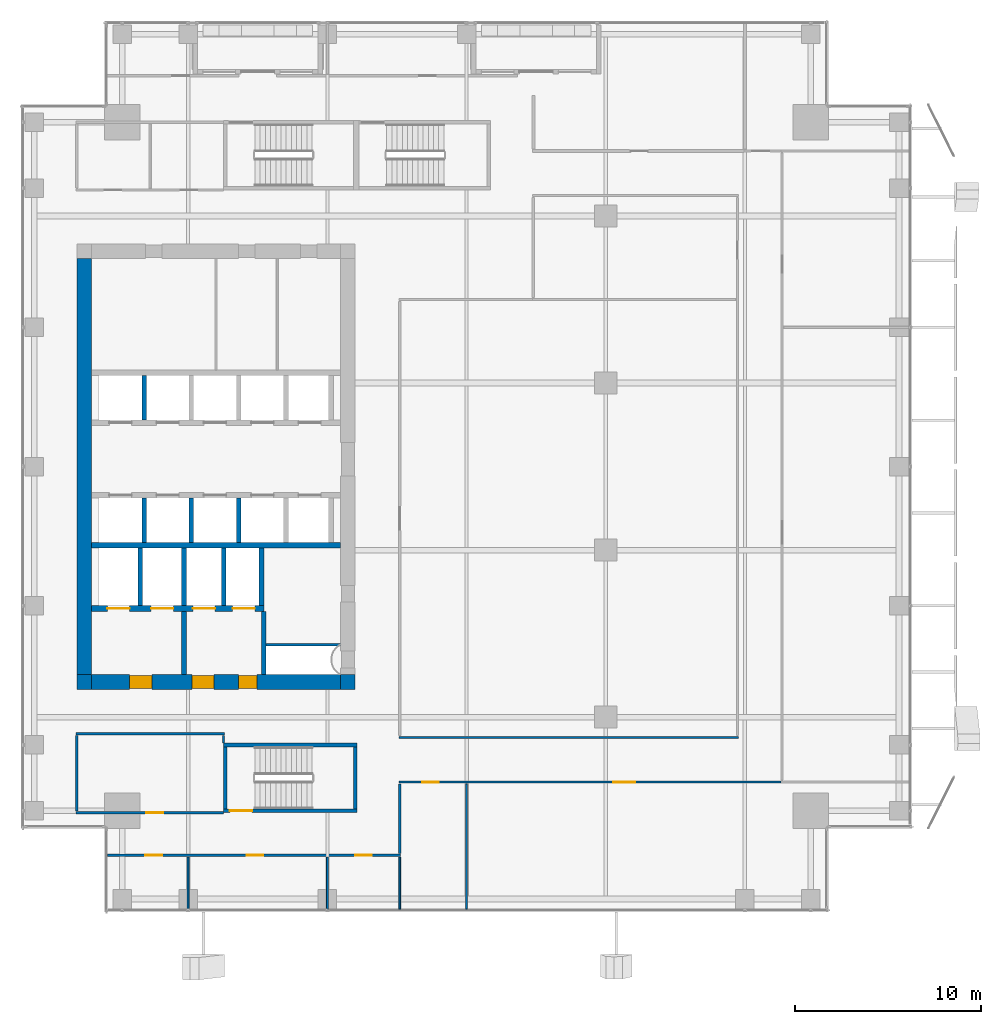
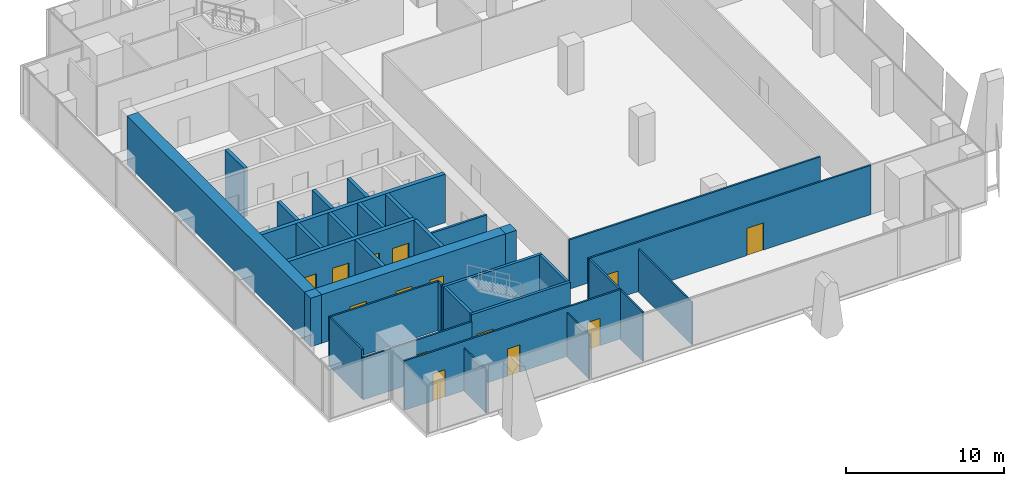
# One storey, part 32 of 38: 33 walls, 14 doors, 14 openings.
"""IFC4 building model written with IfcOpenShell, lengths in metres."""

from ifc_helpers import new_model, si_unit, direction, frame, frame_2d, origin, place, context, subcontext, project, spatial, rectangle, extrude, source, transform, mapped, material, layer, layer_set, type_object, element, fill, save


model = new_model("IFC4")

# Units and contexts
model_context = context("Model", 3, precision=1e-05, world=origin(), true_north=direction((0.0, 1.0)))
body_context = subcontext(model_context, "Body", "Model", "MODEL_VIEW")
ifc_project = project(units=[si_unit("LENGTHUNIT", "METRE"), si_unit("AREAUNIT", "SQUARE_METRE"), si_unit("VOLUMEUNIT", "CUBIC_METRE"), si_unit("PLANEANGLEUNIT", "RADIAN"), si_unit("MASSUNIT", "GRAM", prefix="KILO")], contexts=[model_context])

# Site, building, storey
site_placement = place(None, origin())
site = spatial("IfcSite", under=ifc_project, at=site_placement, CompositionType="ELEMENT")
building_placement = place(site_placement, origin())
building = spatial("IfcBuilding", under=site, at=building_placement, Name="Khomas Fold Tower", CompositionType="ELEMENT")
storey_placement = place(building_placement, frame((0.0, 0.0, 208.699951171875)))
storey = spatial("IfcBuildingStorey", under=building, at=storey_placement, Name="L46", CompositionType="ELEMENT", Elevation=208.699951171875)

# Wall, openings, doors
ifc_material_1 = material(Name="Concrete C60/75", Category="concrete")
ifc_layer_1 = layer(ifc_material_1, 0.800048828125)
ifc_layer_set_1 = layer_set([ifc_layer_1], Name="Concrete C60/75")
wall_type_1 = type_object("IfcWallType", Name="Core wall 800", PredefinedType="SHEAR", material=ifc_layer_set_1)
shared_shape_1 = source(origin(), body_context, "Body", "SweptSolid", [
    extrude(rectangle(XDim=13.39990234375, YDim=0.800048828125, at=frame_2d((6.699951171875, 0.0))), origin(), (0.0, 0.0, 1.0), 3.75),
])
wall_1_placement = place(storey_placement, frame((6.800048828125, 15.39990234375, 0.0), z_axis=(0.0, 0.0, 1.0), x_axis=(1.0, 0.0, 0.0)))
wall_1 = element("IfcWall", 1, at=wall_1_placement, inside=storey, type_object=wall_type_1, Name="Core wall CW-U-S-L35", PredefinedType="SHEAR", context=body_context, shape_type="MappedRepresentation", body=[
    mapped(shared_shape_1, transform((0.0, 0.0, 0.0))),
])
shared_shape_2 = source(origin(), body_context, "Body", "SweptSolid", [
    extrude(rectangle(XDim=1.199951171875, YDim=2.10009765625, at=frame_2d((0.60009765625, 1.050048828125))), frame((0.0, 0.409912109375, 0.0), z_axis=(0.0, -1.0, 0.0), x_axis=(1.0, 0.0, 0.0)), (0.0, 0.0, 1.0), 0.820068359375),
])
opening_1_placement = place(wall_1_placement, frame((5.39990234375, 0.0, 0.0)))
opening_1 = element("IfcOpeningElement", 2, at=opening_1_placement, cuts=wall_1, Name="Opening 0009", PredefinedType="OPENING", context=body_context, shape_type="MappedRepresentation", body=[
    mapped(shared_shape_2, transform((0.0, 0.0, 0.0))),
])
opening_2_placement = place(wall_1_placement, frame((2.050048828125, 0.0, 0.0)))
opening_2 = element("IfcOpeningElement", 3, at=opening_2_placement, cuts=wall_1, Name="Opening 0009", PredefinedType="OPENING", context=body_context, shape_type="MappedRepresentation", body=[
    mapped(shared_shape_2, transform((0.0, 0.0, 0.0))),
])
shared_shape_3 = source(origin(), body_context, "Body", "SweptSolid", [
    extrude(rectangle(XDim=1.0, YDim=2.10009765625, at=frame_2d((0.5, 1.050048828125))), frame((0.0, 0.409912109375, 0.0), z_axis=(0.0, -1.0, 0.0), x_axis=(1.0, 0.0, 0.0)), (0.0, 0.0, 1.0), 0.820068359375),
])
opening_3_placement = place(wall_1_placement, frame((7.89990234375, 0.0, 0.0)))
opening_3 = element("IfcOpeningElement", 4, at=opening_3_placement, cuts=wall_1, Name="Opening 0010", PredefinedType="OPENING", context=body_context, shape_type="MappedRepresentation", body=[
    mapped(shared_shape_3, transform((0.0, 0.0, 0.0))),
])
ifc_material_2 = material(Name="Steel door leaf", Category="steel")
door_type_1 = type_object("IfcDoorType", Name="Lobby door 1200x2100 right-hand", OperationType="SINGLE_SWING_RIGHT", PredefinedType="DOOR", material=ifc_material_2)
shared_shape_4 = source(origin(), body_context, "Body", "SweptSolid", [
    extrude(rectangle(XDim=1.199951171875, YDim=2.10009765625, at=frame_2d((0.60009765625, 1.050048828125))), frame((0.0, 0.35009765625, 0.0), z_axis=(0.0, -1.0, 0.0), x_axis=(1.0, 0.0, 0.0)), (0.0, 0.0, 1.0), 0.699951171875),
])
door_1_placement = place(opening_1_placement, origin())
door_1 = element("IfcDoor", 5, at=door_1_placement, inside=storey, type_object=door_type_1, Name="Lobby door", OperationType="SINGLE_SWING_RIGHT", OverallHeight=2.10009765625, OverallWidth=1.199951171875, PredefinedType="DOOR", context=body_context, shape_type="MappedRepresentation", body=[
    mapped(shared_shape_4, transform((0.0, 0.0, 0.0))),
])
fill(opening_1, door_1)
door_2_placement = place(opening_2_placement, origin())
door_2 = element("IfcDoor", 6, at=door_2_placement, inside=storey, type_object=door_type_1, Name="Lobby door", OperationType="SINGLE_SWING_RIGHT", OverallHeight=2.10009765625, OverallWidth=1.199951171875, PredefinedType="DOOR", context=body_context, shape_type="MappedRepresentation", body=[
    mapped(shared_shape_4, transform((0.0, 0.0, 0.0))),
])
fill(opening_2, door_2)
ifc_material_3 = material(Name="Steel door leaf", Category="steel")
door_type_2 = type_object("IfcDoorType", Name="Stair door 1000x2100 right-hand", OperationType="SINGLE_SWING_RIGHT", PredefinedType="DOOR", material=ifc_material_3)
shared_shape_5 = source(origin(), body_context, "Body", "SweptSolid", [
    extrude(rectangle(XDim=1.0, YDim=2.10009765625, at=frame_2d((0.5, 1.050048828125))), frame((0.0, 0.35009765625, 0.0), z_axis=(0.0, -1.0, 0.0), x_axis=(1.0, 0.0, 0.0)), (0.0, 0.0, 1.0), 0.699951171875),
])
door_3_placement = place(opening_3_placement, origin())
door_3 = element("IfcDoor", 7, at=door_3_placement, inside=storey, type_object=door_type_2, Name="Stair door", OperationType="SINGLE_SWING_RIGHT", OverallHeight=2.10009765625, OverallWidth=1.0, PredefinedType="DOOR", context=body_context, shape_type="MappedRepresentation", body=[
    mapped(shared_shape_5, transform((0.0, 0.0, 0.0))),
])
fill(opening_3, door_3)

# Walls
ifc_material_4 = material(Name="Concrete C60/75", Category="concrete")
ifc_layer_2 = layer(ifc_material_4, 0.800048828125)
ifc_layer_set_2 = layer_set([ifc_layer_2], Name="Concrete C60/75")
wall_type_2 = type_object("IfcWallType", Name="Core corner wall 800", PredefinedType="SHEAR", material=ifc_layer_set_2)
shared_shape_6 = source(origin(), body_context, "Body", "SweptSolid", [
    extrude(rectangle(XDim=0.800048828125, YDim=0.800048828125, at=frame_2d((0.39990234375, 0.0))), origin(), (0.0, 0.0, 1.0), 3.75),
])
for number, where, z_axis, x_axis, name in (
    (8, (20.199951171875, 15.39990234375, 0.0), (0.0, 0.0, 1.0), (1.0, 0.0, 0.0), "Core wall CW-U-SE-L35"),
    (9, (6.0, 15.39990234375, 0.0), (0.0, 0.0, 1.0), (1.0, 0.0, 0.0), "Core wall CW-U-SW-L35"),
):
    element("IfcWall", number, at=place(storey_placement, frame(where, z_axis=z_axis, x_axis=x_axis)), inside=storey, type_object=wall_type_2, Name=name, PredefinedType="SHEAR", context=body_context, shape_type="MappedRepresentation", body=[
        mapped(shared_shape_6, transform((0.0, 0.0, 0.0))),
    ])
shared_shape_7 = source(origin(), body_context, "Body", "SweptSolid", [
    extrude(rectangle(XDim=22.39990234375, YDim=0.800048828125, at=frame_2d((11.199951171875, 0.0))), origin(), (0.0, 0.0, 1.0), 3.75),
])
wall_2_placement = place(storey_placement, frame((6.39990234375, 15.800048828125, 0.0), z_axis=(0.0, 0.0, 1.0), x_axis=(0.0, 1.0, 0.0)))
element("IfcWall", 10, at=wall_2_placement, inside=storey, type_object=wall_type_1, Name="Core wall CW-U-W-L35", PredefinedType="SHEAR", context=body_context, shape_type="MappedRepresentation", body=[
    mapped(shared_shape_7, transform((0.0, 0.0, 0.0))),
])
ifc_material_5 = material(Name="Concrete C50/60", Category="concrete")
ifc_layer_3 = layer(ifc_material_5, 0.199951171875)
ifc_layer_set_3 = layer_set([ifc_layer_3], Name="Concrete C50/60")
wall_type_3 = type_object("IfcWallType", Name="Stair wall 200", PredefinedType="SHEAR", material=ifc_layer_set_3)
shared_shape_8 = source(origin(), body_context, "Body", "SweptSolid", [
    extrude(rectangle(XDim=7.2001953125, YDim=0.199951171875, at=frame_2d((3.60009765625, 0.0))), origin(), (0.0, 0.0, 1.0), 3.75),
])
wall_3_placement = place(storey_placement, frame((13.89990234375, 12.0, 0.0), z_axis=(0.0, 0.0, 1.0), x_axis=(1.0, 0.0, 0.0)))
element("IfcWall", 11, at=wall_3_placement, inside=storey, type_object=wall_type_3, Name="Stair wall SW-ST2-NH", PredefinedType="SHEAR", context=body_context, shape_type="MappedRepresentation", body=[
    mapped(shared_shape_8, transform((0.0, 0.0, 0.0))),
])

# Wall, opening, door
wall_4_placement = place(storey_placement, frame((13.89990234375, 8.449951171875, 0.0), z_axis=(0.0, 0.0, 1.0), x_axis=(1.0, 0.0, 0.0)))
wall_4 = element("IfcWall", 12, at=wall_4_placement, inside=storey, type_object=wall_type_3, Name="Stair wall SW-ST2-S", PredefinedType="SHEAR", context=body_context, shape_type="MappedRepresentation", body=[
    mapped(shared_shape_8, transform((0.0, 0.0, 0.0))),
])
shared_shape_9 = source(origin(), body_context, "Body", "SweptSolid", [
    extrude(rectangle(XDim=1.199951171875, YDim=2.10009765625, at=frame_2d((0.60009765625, 1.050048828125))), frame((0.0, 0.10986328125, 0.0), z_axis=(0.0, -1.0, 0.0), x_axis=(1.0, 0.0, 0.0)), (0.0, 0.0, 1.0), 0.219970703125),
])
opening_4_placement = place(wall_4_placement, frame((0.35009765625, 0.0, 0.0)))
opening_4 = element("IfcOpeningElement", 13, at=opening_4_placement, cuts=wall_4, Name="Opening SD-ST2", PredefinedType="OPENING", context=body_context, shape_type="MappedRepresentation", body=[
    mapped(shared_shape_9, transform((0.0, 0.0, 0.0))),
])
ifc_material_6 = material(Name="Steel door leaf", Category="steel")
door_type_3 = type_object("IfcDoorType", Name="Stair door 1200x2100 right-hand", OperationType="SINGLE_SWING_RIGHT", PredefinedType="DOOR", material=ifc_material_6)
shared_shape_10 = source(origin(), body_context, "Body", "SweptSolid", [
    extrude(rectangle(XDim=1.199951171875, YDim=2.10009765625, at=frame_2d((0.60009765625, 1.050048828125))), frame((0.0, 0.02490234375, 0.0), z_axis=(0.0, -1.0, 0.0), x_axis=(1.0, 0.0, 0.0)), (0.0, 0.0, 1.0), 0.050048828125),
])
door_4_placement = place(opening_4_placement, origin())
door_4 = element("IfcDoor", 14, at=door_4_placement, inside=storey, type_object=door_type_3, Name="Stair door", OperationType="SINGLE_SWING_RIGHT", OverallHeight=2.10009765625, OverallWidth=1.199951171875, PredefinedType="DOOR", context=body_context, shape_type="MappedRepresentation", body=[
    mapped(shared_shape_10, transform((0.0, 0.0, 0.0))),
])
fill(opening_4, door_4)

# Walls
shared_shape_11 = source(origin(), body_context, "Body", "SweptSolid", [
    extrude(rectangle(XDim=3.349853515625, YDim=0.199951171875, at=frame_2d((1.6748046875, 0.0))), origin(), (0.0, 0.0, 1.0), 3.75),
])
for number, where, z_axis, x_axis, name in (
    (15, (21.0, 8.550048828125, 0.0), (0.0, 0.0, 1.0), (0.0, 1.0, 0.0), "Stair wall SW-ST2-E"),
    (16, (14.0, 8.550048828125, 0.0), (0.0, 0.0, 1.0), (0.0, 1.0, 0.0), "Stair wall SW-ST2-W"),
):
    element("IfcWall", number, at=place(storey_placement, frame(where, z_axis=z_axis, x_axis=x_axis)), inside=storey, type_object=wall_type_3, Name=name, PredefinedType="SHEAR", context=body_context, shape_type="MappedRepresentation", body=[
        mapped(shared_shape_11, transform((0.0, 0.0, 0.0))),
    ])
ifc_material_7 = material(Name="Concrete C50/60", Category="concrete")
ifc_layer_4 = layer(ifc_material_7, 0.300048828125)
ifc_layer_set_4 = layer_set([ifc_layer_4], Name="Concrete C50/60")
wall_type_4 = type_object("IfcWallType", Name="Shaft wall 300", PredefinedType="STANDARD", material=ifc_layer_set_4)
shared_shape_12 = source(origin(), body_context, "Body", "SweptSolid", [
    extrude(rectangle(XDim=13.39990234375, YDim=0.300048828125, at=frame_2d((6.699951171875, 0.0))), origin(), (0.0, 0.0, 1.0), 3.75),
])
wall_5_placement = place(storey_placement, frame((6.800048828125, 22.75, 0.0), z_axis=(0.0, 0.0, 1.0), x_axis=(1.0, 0.0, 0.0)))
element("IfcWall", 17, at=wall_5_placement, inside=storey, type_object=wall_type_4, Name="Core wall SW-FS-B", PredefinedType="STANDARD", context=body_context, shape_type="MappedRepresentation", body=[
    mapped(shared_shape_12, transform((0.0, 0.0, 0.0))),
])

# Wall, openings, doors
shared_shape_13 = source(origin(), body_context, "Body", "SweptSolid", [
    extrude(rectangle(XDim=9.27490234375, YDim=0.300048828125, at=frame_2d((4.637451171875, 0.0))), origin(), (0.0, 0.0, 1.0), 3.75),
])
wall_6_placement = place(storey_placement, frame((6.800048828125, 19.35009765625, 0.0), z_axis=(0.0, 0.0, 1.0), x_axis=(1.0, 0.0, 0.0)))
wall_6 = element("IfcWall", 18, at=wall_6_placement, inside=storey, type_object=wall_type_4, Name="Core wall SW-FS-F", PredefinedType="STANDARD", context=body_context, shape_type="MappedRepresentation", body=[
    mapped(shared_shape_13, transform((0.0, 0.0, 0.0))),
])
shared_shape_14 = source(origin(), body_context, "Body", "SweptSolid", [
    extrude(rectangle(XDim=1.199951171875, YDim=2.10009765625, at=frame_2d((0.60009765625, 1.050048828125))), frame((0.0, 0.159912109375, 0.0), z_axis=(0.0, -1.0, 0.0), x_axis=(1.0, 0.0, 0.0)), (0.0, 0.0, 1.0), 0.320068359375),
])
opening_5_placement = place(wall_6_placement, frame((0.85009765625, 0.0, 0.0)))
opening_5 = element("IfcOpeningElement", 19, at=opening_5_placement, cuts=wall_6, Name="Opening LD-SV1", PredefinedType="OPENING", context=body_context, shape_type="MappedRepresentation", body=[
    mapped(shared_shape_14, transform((0.0, 0.0, 0.0))),
])
opening_6_placement = place(wall_6_placement, frame((3.199951171875, 0.0, 0.0)))
opening_6 = element("IfcOpeningElement", 20, at=opening_6_placement, cuts=wall_6, Name="Opening LD-SV2", PredefinedType="OPENING", context=body_context, shape_type="MappedRepresentation", body=[
    mapped(shared_shape_14, transform((0.0, 0.0, 0.0))),
])
opening_7_placement = place(wall_6_placement, frame((5.449951171875, 0.0, 0.0)))
opening_7 = element("IfcOpeningElement", 21, at=opening_7_placement, cuts=wall_6, Name="Opening LD-FF1", PredefinedType="OPENING", context=body_context, shape_type="MappedRepresentation", body=[
    mapped(shared_shape_14, transform((0.0, 0.0, 0.0))),
])
opening_8_placement = place(wall_6_placement, frame((7.60009765625, 0.0, 0.0)))
opening_8 = element("IfcOpeningElement", 22, at=opening_8_placement, cuts=wall_6, Name="Opening LD-FF2", PredefinedType="OPENING", context=body_context, shape_type="MappedRepresentation", body=[
    mapped(shared_shape_14, transform((0.0, 0.0, 0.0))),
])
ifc_material_8 = material(Name="Steel door leaf", Category="steel")
door_type_4 = type_object("IfcDoorType", Name="Landing door 1200x2100", OperationType="DOUBLE_DOOR_SLIDING", PredefinedType="DOOR", material=ifc_material_8)
door_5_placement = place(opening_5_placement, origin())
door_5 = element("IfcDoor", 23, at=door_5_placement, inside=storey, type_object=door_type_4, Name="Lift landing door", OperationType="DOUBLE_DOOR_SLIDING", OverallHeight=2.10009765625, OverallWidth=1.199951171875, PredefinedType="DOOR", context=body_context, shape_type="MappedRepresentation", body=[
    mapped(shared_shape_10, transform((0.0, 0.0, 0.0))),
])
fill(opening_5, door_5)
door_6_placement = place(opening_6_placement, origin())
door_6 = element("IfcDoor", 24, at=door_6_placement, inside=storey, type_object=door_type_4, Name="Lift landing door", OperationType="DOUBLE_DOOR_SLIDING", OverallHeight=2.10009765625, OverallWidth=1.199951171875, PredefinedType="DOOR", context=body_context, shape_type="MappedRepresentation", body=[
    mapped(shared_shape_10, transform((0.0, 0.0, 0.0))),
])
fill(opening_6, door_6)
door_7_placement = place(opening_7_placement, origin())
door_7 = element("IfcDoor", 25, at=door_7_placement, inside=storey, type_object=door_type_4, Name="Lift landing door", OperationType="DOUBLE_DOOR_SLIDING", OverallHeight=2.10009765625, OverallWidth=1.199951171875, PredefinedType="DOOR", context=body_context, shape_type="MappedRepresentation", body=[
    mapped(shared_shape_10, transform((0.0, 0.0, 0.0))),
])
fill(opening_7, door_7)
door_8_placement = place(opening_8_placement, origin())
door_8 = element("IfcDoor", 26, at=door_8_placement, inside=storey, type_object=door_type_4, Name="Lift landing door", OperationType="DOUBLE_DOOR_SLIDING", OverallHeight=2.10009765625, OverallWidth=1.199951171875, PredefinedType="DOOR", context=body_context, shape_type="MappedRepresentation", body=[
    mapped(shared_shape_10, transform((0.0, 0.0, 0.0))),
])
fill(opening_8, door_8)

# Walls
ifc_material_9 = material(Name="Concrete C50/60", Category="concrete")
ifc_layer_5 = layer(ifc_material_9, 0.25)
ifc_layer_set_5 = layer_set([ifc_layer_5], Name="Concrete C50/60")
wall_type_5 = type_object("IfcWallType", Name="Shaft wall 250", PredefinedType="STANDARD", material=ifc_layer_set_5)
shared_shape_15 = source(origin(), body_context, "Body", "SweptSolid", [
    extrude(rectangle(XDim=3.10009765625, YDim=0.25, at=frame_2d((1.550048828125, 0.0))), origin(), (0.0, 0.0, 1.0), 3.75),
])
for number, where, z_axis, x_axis, name in (
    (27, (9.425048828125, 19.5, 0.0), (0.0, 0.0, 1.0), (0.0, 1.0, 0.0), "Core wall SW-FS-P1"),
    (28, (11.77490234375, 19.5, 0.0), (0.0, 0.0, 1.0), (0.0, 1.0, 0.0), "Core wall SW-FS-P2"),
    (29, (13.925048828125, 19.5, 0.0), (0.0, 0.0, 1.0), (0.0, 1.0, 0.0), "Core wall SW-FS-P3"),
    (30, (15.949951171875, 19.5, 0.0), (0.0, 0.0, 1.0), (0.0, 1.0, 0.0), "Core wall SW-FS-PE"),
):
    element("IfcWall", number, at=place(storey_placement, frame(where, z_axis=z_axis, x_axis=x_axis)), inside=storey, type_object=wall_type_5, Name=name, PredefinedType="STANDARD", context=body_context, shape_type="MappedRepresentation", body=[
        mapped(shared_shape_15, transform((0.0, 0.0, 0.0))),
    ])
shared_shape_16 = source(origin(), body_context, "Body", "SweptSolid", [
    extrude(rectangle(XDim=2.39990234375, YDim=0.25, at=frame_2d((1.199951171875, 0.0))), origin(), (0.0, 0.0, 1.0), 3.75),
])
wall_7_placement = place(storey_placement, frame((9.625, 29.5, 0.0), z_axis=(0.0, 0.0, 1.0), x_axis=(0.0, 1.0, 0.0)))
element("IfcWall", 31, at=wall_7_placement, inside=storey, type_object=wall_type_5, Name="Core wall SW-HRN-P1", PredefinedType="STANDARD", context=body_context, shape_type="MappedRepresentation", body=[
    mapped(shared_shape_16, transform((0.0, 0.0, 0.0))),
])
shared_shape_17 = source(origin(), body_context, "Body", "SweptSolid", [
    extrude(rectangle(XDim=2.400146484375, YDim=0.25, at=frame_2d((1.2001953125, 0.0))), origin(), (0.0, 0.0, 1.0), 3.75),
])
for number, where, z_axis, x_axis, name in (
    (32, (9.625, 22.89990234375, 0.0), (0.0, 0.0, 1.0), (0.0, 1.0, 0.0), "Core wall SW-HRS-P1"),
    (33, (12.175048828125, 22.89990234375, 0.0), (0.0, 0.0, 1.0), (0.0, 1.0, 0.0), "Core wall SW-HRS-P2"),
    (34, (14.72509765625, 22.89990234375, 0.0), (0.0, 0.0, 1.0), (0.0, 1.0, 0.0), "Core wall SW-HRS-PE"),
):
    element("IfcWall", number, at=place(storey_placement, frame(where, z_axis=z_axis, x_axis=x_axis)), inside=storey, type_object=wall_type_5, Name=name, PredefinedType="STANDARD", context=body_context, shape_type="MappedRepresentation", body=[
        mapped(shared_shape_17, transform((0.0, 0.0, 0.0))),
    ])
ifc_material_10 = material(Name="Concrete C50/60", Category="concrete")
ifc_layer_6 = layer(ifc_material_10, 0.25)
ifc_layer_set_6 = layer_set([ifc_layer_6], Name="Concrete C50/60")
wall_type_6 = type_object("IfcWallType", Name="Lobby wall 250", PredefinedType="STANDARD", material=ifc_layer_set_6)
shared_shape_18 = source(origin(), body_context, "Body", "SweptSolid", [
    extrude(rectangle(XDim=3.39990234375, YDim=0.25, at=frame_2d((1.699951171875, 0.0))), origin(), (0.0, 0.0, 1.0), 3.75),
])
for number, where, z_axis, x_axis, name in (
    (35, (16.074951171875, 15.800048828125, 0.0), (0.0, 0.0, 1.0), (0.0, 1.0, 0.0), "Core wall SW-FS-LOB-E"),
    (36, (11.77490234375, 15.800048828125, 0.0), (0.0, 0.0, 1.0), (0.0, 1.0, 0.0), "Core wall SW-FS-SEP"),
):
    element("IfcWall", number, at=place(storey_placement, frame(where, z_axis=z_axis, x_axis=x_axis)), inside=storey, type_object=wall_type_6, Name=name, PredefinedType="STANDARD", context=body_context, shape_type="MappedRepresentation", body=[
        mapped(shared_shape_18, transform((0.0, 0.0, 0.0))),
    ])
ifc_material_11 = material(Name="Plasterboard partition")
ifc_layer_7 = layer(ifc_material_11, 0.10009765625)
ifc_layer_set_7 = layer_set([ifc_layer_7], Name="Plasterboard partition")
wall_type_7 = type_object("IfcWallType", Name="Partition PW1 100", PredefinedType="PARTITIONING", material=ifc_layer_set_7)
shared_shape_19 = source(origin(), body_context, "Body", "SweptSolid", [
    extrude(rectangle(XDim=2.800048828125, YDim=0.10009765625, at=frame_2d((1.39990234375, 0.0))), origin(), (0.0, 0.0, 1.0), 3.420166015625),
])
wall_8_placement = place(storey_placement, frame((19.5, 3.14990234375, 0.0), z_axis=(0.0, 0.0, 1.0), x_axis=(0.0, 1.0, 0.0)))
element("IfcWall", 37, at=wall_8_placement, inside=storey, type_object=wall_type_7, Name="Partition", PredefinedType="PARTITIONING", context=body_context, shape_type="MappedRepresentation", body=[
    mapped(shared_shape_19, transform((0.0, 0.0, 0.0))),
])

# Wall, opening, door
ifc_material_12 = material(Name="Plasterboard partition")
ifc_layer_8 = layer(ifc_material_12, 0.125)
ifc_layer_set_8 = layer_set([ifc_layer_8], Name="Plasterboard partition")
wall_type_8 = type_object("IfcWallType", Name="Partition PW2 125", PredefinedType="PARTITIONING", material=ifc_layer_set_8)
shared_shape_20 = source(origin(), body_context, "Body", "SweptSolid", [
    extrude(rectangle(XDim=7.949951171875, YDim=0.125, at=frame_2d((3.97509765625, 0.0))), origin(), (0.0, 0.0, 1.0), 3.25),
])
wall_9_placement = place(storey_placement, frame((5.949951171875, 8.35009765625, 0.0), z_axis=(0.0, 0.0, 1.0), x_axis=(1.0, 0.0, 0.0)))
wall_9 = element("IfcWall", 38, at=wall_9_placement, inside=storey, type_object=wall_type_8, Name="Partition", PredefinedType="PARTITIONING", context=body_context, shape_type="MappedRepresentation", body=[
    mapped(shared_shape_20, transform((0.0, 0.0, 0.0))),
])
shared_shape_21 = source(origin(), body_context, "Body", "SweptSolid", [
    extrude(rectangle(XDim=0.89990234375, YDim=2.10009765625, at=frame_2d((0.449951171875, 1.050048828125))), frame((0.0, 0.072509765625, 0.0), z_axis=(0.0, -1.0, 0.0), x_axis=(1.0, 0.0, 0.0)), (0.0, 0.0, 1.0), 0.14501953125),
])
opening_9_placement = place(wall_9_placement, frame((3.800048828125, 0.0, 0.0)))
opening_9 = element("IfcOpeningElement", 39, at=opening_9_placement, cuts=wall_9, Name="Opening 0007", PredefinedType="OPENING", context=body_context, shape_type="MappedRepresentation", body=[
    mapped(shared_shape_21, transform((0.0, 0.0, 0.0))),
])
ifc_material_13 = material(Name="Timber door leaf", Category="wood")
door_type_5 = type_object("IfcDoorType", Name="Door 900x2100 left-hand", OperationType="SINGLE_SWING_LEFT", PredefinedType="DOOR", material=ifc_material_13)
shared_shape_22 = source(origin(), body_context, "Body", "SweptSolid", [
    extrude(rectangle(XDim=0.89990234375, YDim=2.10009765625, at=frame_2d((0.449951171875, 1.050048828125))), frame((0.0, 0.02490234375, 0.0), z_axis=(0.0, -1.0, 0.0), x_axis=(1.0, 0.0, 0.0)), (0.0, 0.0, 1.0), 0.050048828125),
])
door_9_placement = place(opening_9_placement, origin())
door_9 = element("IfcDoor", 40, at=door_9_placement, inside=storey, type_object=door_type_5, Name="Door", OperationType="SINGLE_SWING_LEFT", OverallHeight=2.10009765625, OverallWidth=0.89990234375, PredefinedType="DOOR", context=body_context, shape_type="MappedRepresentation", body=[
    mapped(shared_shape_22, transform((0.0, 0.0, 0.0))),
])
fill(opening_9, door_9)

# Walls
shared_shape_23 = source(origin(), body_context, "Body", "SweptSolid", [
    extrude(rectangle(XDim=4.050048828125, YDim=0.125, at=frame_2d((2.02490234375, 0.0))), origin(), (0.0, 0.0, 1.0), 3.800048828125),
])
wall_10_placement = place(storey_placement, frame((6.0, 8.449951171875, 0.0), z_axis=(0.0, 0.0, 1.0), x_axis=(0.0, 1.0, 0.0)))
element("IfcWall", 41, at=wall_10_placement, inside=storey, type_object=wall_type_8, Name="Partition", PredefinedType="PARTITIONING", context=body_context, shape_type="MappedRepresentation", body=[
    mapped(shared_shape_23, transform((0.0, 0.0, 0.0))),
])
shared_shape_24 = source(origin(), body_context, "Body", "SweptSolid", [
    extrude(rectangle(XDim=0.39990234375, YDim=0.125, at=frame_2d((0.199951171875, 0.0))), origin(), (0.0, 0.0, 1.0), 3.800048828125),
])
wall_11_placement = place(storey_placement, frame((13.89990234375, 12.10009765625, 0.0), z_axis=(0.0, 0.0, 1.0), x_axis=(0.0, 1.0, 0.0)))
element("IfcWall", 42, at=wall_11_placement, inside=storey, type_object=wall_type_8, Name="Partition", PredefinedType="PARTITIONING", context=body_context, shape_type="MappedRepresentation", body=[
    mapped(shared_shape_24, transform((0.0, 0.0, 0.0))),
])
shared_shape_25 = source(origin(), body_context, "Body", "SweptSolid", [
    extrude(rectangle(XDim=8.0, YDim=0.125, at=frame_2d((4.0, 0.0))), origin(), (0.0, 0.0, 1.0), 3.800048828125),
])
wall_12_placement = place(storey_placement, frame((5.949951171875, 12.60009765625, 0.0), z_axis=(0.0, 0.0, 1.0), x_axis=(1.0, 0.0, 0.0)))
element("IfcWall", 43, at=wall_12_placement, inside=storey, type_object=wall_type_8, Name="Partition", PredefinedType="PARTITIONING", context=body_context, shape_type="MappedRepresentation", body=[
    mapped(shared_shape_25, transform((0.0, 0.0, 0.0))),
])
ifc_material_14 = material(Name="Plasterboard fire partition")
ifc_layer_9 = layer(ifc_material_14, 0.14990234375)
ifc_layer_set_9 = layer_set([ifc_layer_9], Name="Plasterboard fire partition")
wall_type_9 = type_object("IfcWallType", Name="Plant room wall PW3 150", PredefinedType="PARTITIONING", material=ifc_layer_set_9)
shared_shape_26 = source(origin(), body_context, "Body", "SweptSolid", [
    extrude(rectangle(XDim=4.0, YDim=0.14990234375, at=frame_2d((2.0, 0.0))), origin(), (0.0, 0.0, 1.0), 3.800048828125),
])
wall_13_placement = place(storey_placement, frame((16.199951171875, 17.39990234375, 0.0), z_axis=(0.0, 0.0, 1.0), x_axis=(1.0, 0.0, 0.0)))
element("IfcWall", 44, at=wall_13_placement, inside=storey, type_object=wall_type_9, Name="Plant room wall", PredefinedType="PARTITIONING", context=body_context, shape_type="MappedRepresentation", body=[
    mapped(shared_shape_26, transform((0.0, 0.0, 0.0))),
])
shared_shape_27 = source(origin(), body_context, "Body", "SweptSolid", [
    extrude(rectangle(XDim=18.2998046875, YDim=0.125, at=frame_2d((9.14990234375, 0.0))), origin(), (0.0, 0.0, 1.0), 3.800048828125),
])
wall_14_placement = place(storey_placement, frame((23.35009765625, 12.39990234375, 0.0), z_axis=(0.0, 0.0, 1.0), x_axis=(1.0, 0.0, 0.0)))
element("IfcWall", 45, at=wall_14_placement, inside=storey, type_object=wall_type_8, Name="Partition", PredefinedType="PARTITIONING", context=body_context, shape_type="MappedRepresentation", body=[
    mapped(shared_shape_27, transform((0.0, 0.0, 0.0))),
])
shared_shape_28 = source(origin(), body_context, "Body", "SweptSolid", [
    extrude(rectangle(XDim=2.800048828125, YDim=0.10009765625, at=frame_2d((1.39990234375, 0.0))), origin(), (0.0, 0.0, 1.0), 3.800048828125),
])
wall_15_placement = place(storey_placement, frame((23.39990234375, 3.14990234375, 0.0), z_axis=(0.0, 0.0, 1.0), x_axis=(0.0, 1.0, 0.0)))
element("IfcWall", 46, at=wall_15_placement, inside=storey, type_object=wall_type_7, Name="Partition", PredefinedType="PARTITIONING", context=body_context, shape_type="MappedRepresentation", body=[
    mapped(shared_shape_28, transform((0.0, 0.0, 0.0))),
])

# Wall, openings, doors
shared_shape_29 = source(origin(), body_context, "Body", "SweptSolid", [
    extrude(rectangle(XDim=15.800048828125, YDim=0.125, at=frame_2d((7.89990234375, 0.0))), origin(), (0.0, 0.0, 1.0), 3.800048828125),
])
wall_16_placement = place(storey_placement, frame((7.64990234375, 6.050048828125, 0.0), z_axis=(0.0, 0.0, 1.0), x_axis=(1.0, 0.0, 0.0)))
wall_16 = element("IfcWall", 47, at=wall_16_placement, inside=storey, type_object=wall_type_8, Name="Partition", PredefinedType="PARTITIONING", context=body_context, shape_type="MappedRepresentation", body=[
    mapped(shared_shape_29, transform((0.0, 0.0, 0.0))),
])
opening_10_placement = place(wall_16_placement, frame((2.050048828125, 0.0, 0.0)))
opening_10 = element("IfcOpeningElement", 48, at=opening_10_placement, cuts=wall_16, Name="Opening 0008", PredefinedType="OPENING", context=body_context, shape_type="MappedRepresentation", body=[
    mapped(shared_shape_21, transform((0.0, 0.0, 0.0))),
])
opening_11_placement = place(wall_16_placement, frame((7.5, 0.0, 0.0)))
opening_11 = element("IfcOpeningElement", 49, at=opening_11_placement, cuts=wall_16, Name="Opening 0007", PredefinedType="OPENING", context=body_context, shape_type="MappedRepresentation", body=[
    mapped(shared_shape_21, transform((0.0, 0.0, 0.0))),
])
opening_12_placement = place(wall_16_placement, frame((13.35009765625, 0.0, 0.0)))
opening_12 = element("IfcOpeningElement", 50, at=opening_12_placement, cuts=wall_16, Name="Opening 0008", PredefinedType="OPENING", context=body_context, shape_type="MappedRepresentation", body=[
    mapped(shared_shape_21, transform((0.0, 0.0, 0.0))),
])
ifc_material_15 = material(Name="Timber door leaf", Category="wood")
door_type_6 = type_object("IfcDoorType", Name="Door 900x2100 right-hand", OperationType="SINGLE_SWING_RIGHT", PredefinedType="DOOR", material=ifc_material_15)
door_10_placement = place(opening_10_placement, origin())
door_10 = element("IfcDoor", 51, at=door_10_placement, inside=storey, type_object=door_type_6, Name="Door", OperationType="SINGLE_SWING_RIGHT", OverallHeight=2.10009765625, OverallWidth=0.89990234375, PredefinedType="DOOR", context=body_context, shape_type="MappedRepresentation", body=[
    mapped(shared_shape_22, transform((0.0, 0.0, 0.0))),
])
fill(opening_10, door_10)
door_11_placement = place(opening_11_placement, origin())
door_11 = element("IfcDoor", 52, at=door_11_placement, inside=storey, type_object=door_type_5, Name="Door", OperationType="SINGLE_SWING_LEFT", OverallHeight=2.10009765625, OverallWidth=0.89990234375, PredefinedType="DOOR", context=body_context, shape_type="MappedRepresentation", body=[
    mapped(shared_shape_22, transform((0.0, 0.0, 0.0))),
])
fill(opening_11, door_11)
door_12_placement = place(opening_12_placement, origin())
door_12 = element("IfcDoor", 53, at=door_12_placement, inside=storey, type_object=door_type_6, Name="Door", OperationType="SINGLE_SWING_RIGHT", OverallHeight=2.10009765625, OverallWidth=0.89990234375, PredefinedType="DOOR", context=body_context, shape_type="MappedRepresentation", body=[
    mapped(shared_shape_22, transform((0.0, 0.0, 0.0))),
])
fill(opening_12, door_12)

# Walls
shared_shape_30 = source(origin(), body_context, "Body", "SweptSolid", [
    extrude(rectangle(XDim=3.75, YDim=0.125, at=frame_2d((1.875, 0.0))), origin(), (0.0, 0.0, 1.0), 3.800048828125),
])
wall_17_placement = place(storey_placement, frame((23.39990234375, 6.14990234375, 0.0), z_axis=(0.0, 0.0, 1.0), x_axis=(0.0, 1.0, 0.0)))
element("IfcWall", 54, at=wall_17_placement, inside=storey, type_object=wall_type_8, Name="Partition", PredefinedType="PARTITIONING", context=body_context, shape_type="MappedRepresentation", body=[
    mapped(shared_shape_30, transform((0.0, 0.0, 0.0))),
])
shared_shape_31 = source(origin(), body_context, "Body", "SweptSolid", [
    extrude(rectangle(XDim=2.800048828125, YDim=0.10009765625, at=frame_2d((1.39990234375, 0.0))), origin(), (0.0, 0.0, 1.0), 3.300048828125),
])
wall_18_placement = place(storey_placement, frame((12.0, 3.14990234375, 0.0), z_axis=(0.0, 0.0, 1.0), x_axis=(0.0, 1.0, 0.0)))
element("IfcWall", 55, at=wall_18_placement, inside=storey, type_object=wall_type_7, Name="Partition", PredefinedType="PARTITIONING", context=body_context, shape_type="MappedRepresentation", body=[
    mapped(shared_shape_31, transform((0.0, 0.0, 0.0))),
])
shared_shape_32 = source(origin(), body_context, "Body", "SweptSolid", [
    extrude(rectangle(XDim=6.75, YDim=0.10009765625, at=frame_2d((3.375, 0.0))), origin(), (0.0, 0.0, 1.0), 3.300048828125),
])
wall_19_placement = place(storey_placement, frame((27.0, 3.14990234375, 0.0), z_axis=(0.0, 0.0, 1.0), x_axis=(0.0, 1.0, 0.0)))
element("IfcWall", 56, at=wall_19_placement, inside=storey, type_object=wall_type_7, Name="Partition", PredefinedType="PARTITIONING", context=body_context, shape_type="MappedRepresentation", body=[
    mapped(shared_shape_32, transform((0.0, 0.0, 0.0))),
])

# Wall, openings, doors
shared_shape_33 = source(origin(), body_context, "Body", "SweptSolid", [
    extrude(rectangle(XDim=20.599853515625, YDim=0.125, at=frame_2d((10.2998046875, 0.0))), origin(), (0.0, 0.0, 1.0), 3.800048828125),
])
wall_20_placement = place(storey_placement, frame((23.35009765625, 10.0, 0.0), z_axis=(0.0, 0.0, 1.0), x_axis=(1.0, 0.0, 0.0)))
wall_20 = element("IfcWall", 57, at=wall_20_placement, inside=storey, type_object=wall_type_8, Name="Partition", PredefinedType="PARTITIONING", context=body_context, shape_type="MappedRepresentation", body=[
    mapped(shared_shape_33, transform((0.0, 0.0, 0.0))),
])
opening_13_placement = place(wall_20_placement, frame((1.25, 0.0, 0.0)))
opening_13 = element("IfcOpeningElement", 58, at=opening_13_placement, cuts=wall_20, Name="Opening 0007", PredefinedType="OPENING", context=body_context, shape_type="MappedRepresentation", body=[
    mapped(shared_shape_21, transform((0.0, 0.0, 0.0))),
])
shared_shape_34 = source(origin(), body_context, "Body", "SweptSolid", [
    extrude(rectangle(XDim=1.199951171875, YDim=2.10009765625, at=frame_2d((0.60009765625, 1.050048828125))), frame((0.0, 0.072509765625, 0.0), z_axis=(0.0, -1.0, 0.0), x_axis=(1.0, 0.0, 0.0)), (0.0, 0.0, 1.0), 0.14501953125),
])
opening_14_placement = place(wall_20_placement, frame((11.550048828125, 0.0, 0.0)))
opening_14 = element("IfcOpeningElement", 59, at=opening_14_placement, cuts=wall_20, Name="Opening 0001", PredefinedType="OPENING", context=body_context, shape_type="MappedRepresentation", body=[
    mapped(shared_shape_34, transform((0.0, 0.0, 0.0))),
])
door_13_placement = place(opening_13_placement, origin())
door_13 = element("IfcDoor", 60, at=door_13_placement, inside=storey, type_object=door_type_5, Name="Door", OperationType="SINGLE_SWING_LEFT", OverallHeight=2.10009765625, OverallWidth=0.89990234375, PredefinedType="DOOR", context=body_context, shape_type="MappedRepresentation", body=[
    mapped(shared_shape_22, transform((0.0, 0.0, 0.0))),
])
fill(opening_13, door_13)
ifc_material_16 = material(Name="Timber door leaf", Category="wood")
door_type_7 = type_object("IfcDoorType", Name="Door 1200x2100 right-hand", OperationType="SINGLE_SWING_RIGHT", PredefinedType="DOOR", material=ifc_material_16)
door_14_placement = place(opening_14_placement, origin())
door_14 = element("IfcDoor", 61, at=door_14_placement, inside=storey, type_object=door_type_7, Name="Door", OperationType="SINGLE_SWING_RIGHT", OverallHeight=2.10009765625, OverallWidth=1.199951171875, PredefinedType="DOOR", context=body_context, shape_type="MappedRepresentation", body=[
    mapped(shared_shape_10, transform((0.0, 0.0, 0.0))),
])
fill(opening_14, door_14)

save(model, "model.ifc")
